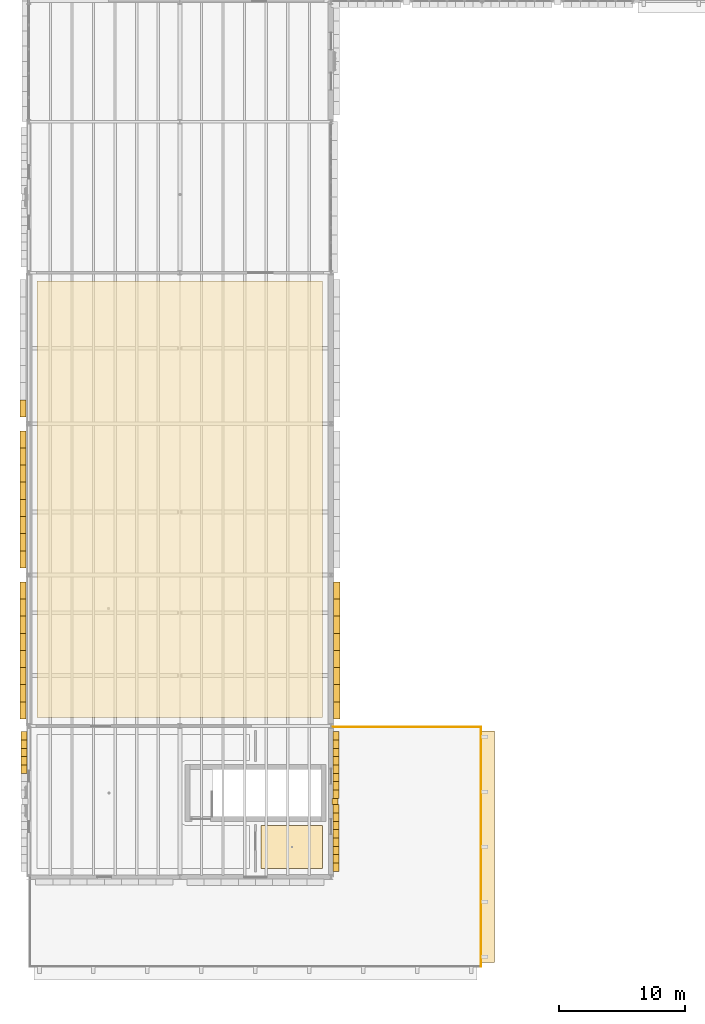
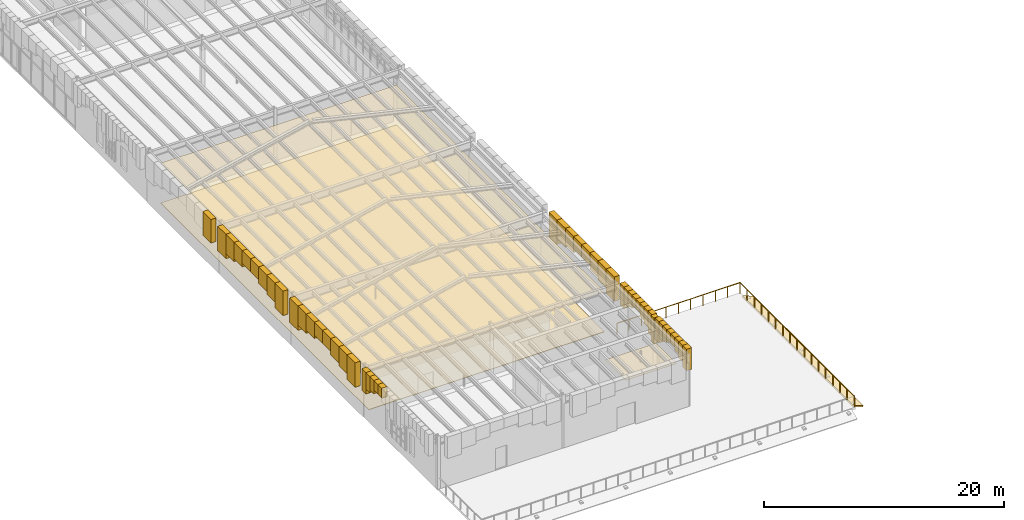
# One storey, part 73 of 100: 51 coverings, 2 railings.
"""IFC4 building model written with IfcOpenShell, lengths in metres."""

from ifc_helpers import new_model, si_unit, direction, frame, origin, origin_2d, place, context, subcontext, project, spatial, polyline, circle, outline, extrude, material, layer, layer_set, type_object, element, save


model = new_model("IFC4")

# Units and contexts
model_context = context("Model", 3, precision=1e-05, world=origin(), true_north=direction((0.0, 1.0)))
body_context = subcontext(model_context, "Body", "Model", "MODEL_VIEW")
ifc_project = project(units=[si_unit("LENGTHUNIT", "METRE"), si_unit("AREAUNIT", "SQUARE_METRE"), si_unit("VOLUMEUNIT", "CUBIC_METRE"), si_unit("PLANEANGLEUNIT", "RADIAN"), si_unit("MASSUNIT", "GRAM", prefix="KILO")], contexts=[model_context])

# Site, building, storey
site_placement = place(None, origin())
site = spatial("IfcSite", under=ifc_project, at=site_placement, CompositionType="ELEMENT")
building_placement = place(site_placement, origin())
building = spatial("IfcBuilding", under=site, at=building_placement, Name="Zlatogorsky Bluff Art Gallery", CompositionType="ELEMENT")
storey_placement = place(building_placement, frame((0.0, 0.0, 5.39990234375)))
storey = spatial("IfcBuildingStorey", under=building, at=storey_placement, Name="L01", CompositionType="ELEMENT", Elevation=5.39990234375)

# Coverings
ifc_material_1 = material(Name="Perforated Gypsum Acoustic Board", Category="gypsum")
ifc_layer_1 = layer(ifc_material_1, 0.0400390625)
ifc_layer_set_1 = layer_set([ifc_layer_1], Name="Acoustic Gallery Ceiling CLG-01")
covering_type_1 = type_object("IfcCoveringType", Name="Acoustic Gallery Ceiling CLG-01", PredefinedType="CEILING", material=ifc_layer_set_1)
covering_1_placement = place(storey_placement, frame((0.0, 0.0, 4.050048828125)))
element("IfcCovering", 1, at=covering_1_placement, inside=storey, type_object=covering_type_1, Name="Sculpture Terrace Gallery acoustic ceiling", PredefinedType="CEILING", context=body_context, shape_type="SweptSolid", body=[
    extrude(outline(polyline([(23.330078125, 15.070068359375), (18.449951171875, 15.070068359375), (18.449951171875, 18.489990234375), (23.330078125, 18.489990234375), (23.330078125, 15.070068359375)])), origin(), (0.0, 0.0, 1.0), 0.0400390625),
])
covering_2_placement = place(storey_placement, frame((0.0, 0.0, 4.050048828125)))
element("IfcCovering", 2, at=covering_2_placement, inside=storey, type_object=covering_type_1, Name="Auditorium Balcony and Projection Suite acoustic ceiling", PredefinedType="CEILING", context=body_context, shape_type="SweptSolid", body=[
    extrude(outline(polyline([(23.330078125, 61.72998046875), (23.330078125, 27.070068359375), (0.669921875, 27.070068359375), (0.669921875, 61.72998046875), (23.330078125, 61.72998046875)])), origin(), (0.0, 0.0, 1.0), 0.0400390625),
])
ifc_material_2 = material(Name="Honed Red Agra-Tone Quartzitic Sandstone", Category="masonry")
ifc_layer_2 = layer(ifc_material_2, 0.1201171875)
ifc_layer_set_2 = layer_set([ifc_layer_2], Name="Carved Sandstone Cladding CLD-02")
covering_type_2 = type_object("IfcCoveringType", Name="Carved Sandstone Cladding CLD-02", PredefinedType="CLADDING", material=ifc_layer_set_2)
covering_3_placement = place(storey_placement, frame((0.0, 0.0, 4.365478515625)))
element("IfcCovering", 3, at=covering_3_placement, inside=storey, type_object=covering_type_2, Name="Pointed Mughal arch voussoir spandrel WARCH-L01-W-00-02-B.4", PredefinedType="CLADDING", context=body_context, shape_type="SweptSolid", body=[
    extrude(outline(polyline([(-0.639892578125, 22.637451171875), (-0.639892578125, 23.300048828125), (-0.14990234375, 23.300048828125), (-0.14990234375, 22.637451171875), (-0.639892578125, 22.637451171875)])), origin(), (0.0, 0.0, 1.0), 0.99462890625),
])
covering_4_placement = place(storey_placement, frame((0.0, 0.0, 4.365478515625)))
element("IfcCovering", 4, at=covering_4_placement, inside=storey, type_object=covering_type_2, Name="Pointed Mughal arch voussoir spandrel WARCH-L01-W-00-02-B.5", PredefinedType="CLADDING", context=body_context, shape_type="SweptSolid", body=[
    extrude(outline(polyline([(-0.639892578125, 23.300048828125), (-0.639892578125, 23.96240234375), (-0.14990234375, 23.96240234375), (-0.14990234375, 23.300048828125), (-0.639892578125, 23.300048828125)])), origin(), (0.0, 0.0, 1.0), 0.99462890625),
])
covering_5_placement = place(storey_placement, frame((0.0, 0.0, 3.996826171875)))
element("IfcCovering", 5, at=covering_5_placement, inside=storey, type_object=covering_type_2, Name="Pointed Mughal arch voussoir spandrel WARCH-L01-W-00-02-B.6", PredefinedType="CLADDING", context=body_context, shape_type="SweptSolid", body=[
    extrude(outline(polyline([(-0.639892578125, 23.96240234375), (-0.639892578125, 24.625), (-0.14990234375, 24.625), (-0.14990234375, 23.96240234375), (-0.639892578125, 23.96240234375)])), origin(), (0.0, 0.0, 1.0), 1.36328125),
])
covering_6_placement = place(storey_placement, frame((0.0, 0.0, 3.703857421875)))
element("IfcCovering", 6, at=covering_6_placement, inside=storey, type_object=covering_type_2, Name="Pointed Mughal arch voussoir spandrel WARCH-L01-W-00-02-B.7", PredefinedType="CLADDING", context=body_context, shape_type="SweptSolid", body=[
    extrude(outline(polyline([(-0.639892578125, 24.625), (-0.639892578125, 25.28759765625), (-0.14990234375, 25.28759765625), (-0.14990234375, 24.625), (-0.639892578125, 24.625)])), origin(), (0.0, 0.0, 1.0), 1.65625),
])
covering_7_placement = place(storey_placement, frame((0.0, 0.0, 3.172607421875)))
element("IfcCovering", 7, at=covering_7_placement, inside=storey, type_object=covering_type_2, Name="Pointed Mughal arch voussoir spandrel WARCH-L01-W-00-02-B.8", PredefinedType="CLADDING", context=body_context, shape_type="SweptSolid", body=[
    extrude(outline(polyline([(-0.639892578125, 25.28759765625), (-0.639892578125, 25.949951171875), (-0.14990234375, 25.949951171875), (-0.14990234375, 25.28759765625), (-0.639892578125, 25.28759765625)])), origin(), (0.0, 0.0, 1.0), 2.1875),
])
covering_8_placement = place(storey_placement, frame((0.0, 0.0, 2.87255859375)))
element("IfcCovering", 8, at=covering_8_placement, inside=storey, type_object=covering_type_2, Name="Pointed Mughal arch voussoir spandrel WARCH-L01-W-00-03-A.1", PredefinedType="CLADDING", context=body_context, shape_type="SweptSolid", body=[
    extrude(outline(polyline([(-0.699951171875, 26.949951171875), (-0.699951171875, 28.3125), (-0.2099609375, 28.3125), (-0.2099609375, 26.949951171875), (-0.699951171875, 26.949951171875)])), origin(), (0.0, 0.0, 1.0), 2.487548828125),
])
covering_9_placement = place(storey_placement, frame((0.0, 0.0, 3.40380859375)))
element("IfcCovering", 9, at=covering_9_placement, inside=storey, type_object=covering_type_2, Name="Pointed Mughal arch voussoir spandrel WARCH-L01-W-00-03-A.2", PredefinedType="CLADDING", context=body_context, shape_type="SweptSolid", body=[
    extrude(outline(polyline([(-0.699951171875, 28.3125), (-0.699951171875, 29.675048828125), (-0.2099609375, 29.675048828125), (-0.2099609375, 28.3125), (-0.699951171875, 28.3125)])), origin(), (0.0, 0.0, 1.0), 1.956298828125),
])
covering_10_placement = place(storey_placement, frame((0.0, 0.0, 3.69677734375)))
element("IfcCovering", 10, at=covering_10_placement, inside=storey, type_object=covering_type_2, Name="Pointed Mughal arch voussoir spandrel WARCH-L01-W-00-03-A.3", PredefinedType="CLADDING", context=body_context, shape_type="SweptSolid", body=[
    extrude(outline(polyline([(-0.699951171875, 29.675048828125), (-0.699951171875, 31.03759765625), (-0.2099609375, 31.03759765625), (-0.2099609375, 29.675048828125), (-0.699951171875, 29.675048828125)])), origin(), (0.0, 0.0, 1.0), 1.663330078125),
])
covering_11_placement = place(storey_placement, frame((0.0, 0.0, 4.0654296875)))
element("IfcCovering", 11, at=covering_11_placement, inside=storey, type_object=covering_type_2, Name="Pointed Mughal arch voussoir spandrel WARCH-L01-W-00-03-A.4", PredefinedType="CLADDING", context=body_context, shape_type="SweptSolid", body=[
    extrude(outline(polyline([(-0.699951171875, 31.03759765625), (-0.699951171875, 32.39990234375), (-0.2099609375, 32.39990234375), (-0.2099609375, 31.03759765625), (-0.699951171875, 31.03759765625)])), origin(), (0.0, 0.0, 1.0), 1.294677734375),
])
covering_12_placement = place(storey_placement, frame((0.0, 0.0, 4.0654296875)))
element("IfcCovering", 12, at=covering_12_placement, inside=storey, type_object=covering_type_2, Name="Pointed Mughal arch voussoir spandrel WARCH-L01-W-00-03-A.5", PredefinedType="CLADDING", context=body_context, shape_type="SweptSolid", body=[
    extrude(outline(polyline([(-0.699951171875, 32.39990234375), (-0.699951171875, 33.762451171875), (-0.2099609375, 33.762451171875), (-0.2099609375, 32.39990234375), (-0.699951171875, 32.39990234375)])), origin(), (0.0, 0.0, 1.0), 1.294677734375),
])
covering_13_placement = place(storey_placement, frame((0.0, 0.0, 3.69677734375)))
element("IfcCovering", 13, at=covering_13_placement, inside=storey, type_object=covering_type_2, Name="Pointed Mughal arch voussoir spandrel WARCH-L01-W-00-03-A.6", PredefinedType="CLADDING", context=body_context, shape_type="SweptSolid", body=[
    extrude(outline(polyline([(-0.699951171875, 33.762451171875), (-0.699951171875, 35.125), (-0.2099609375, 35.125), (-0.2099609375, 33.762451171875), (-0.699951171875, 33.762451171875)])), origin(), (0.0, 0.0, 1.0), 1.663330078125),
])
covering_14_placement = place(storey_placement, frame((0.0, 0.0, 3.40380859375)))
element("IfcCovering", 14, at=covering_14_placement, inside=storey, type_object=covering_type_2, Name="Pointed Mughal arch voussoir spandrel WARCH-L01-W-00-03-A.7", PredefinedType="CLADDING", context=body_context, shape_type="SweptSolid", body=[
    extrude(outline(polyline([(-0.699951171875, 35.125), (-0.699951171875, 36.487548828125), (-0.2099609375, 36.487548828125), (-0.2099609375, 35.125), (-0.699951171875, 35.125)])), origin(), (0.0, 0.0, 1.0), 1.956298828125),
])
covering_15_placement = place(storey_placement, frame((0.0, 0.0, 2.87255859375)))
element("IfcCovering", 15, at=covering_15_placement, inside=storey, type_object=covering_type_2, Name="Pointed Mughal arch voussoir spandrel WARCH-L01-W-00-03-A.8", PredefinedType="CLADDING", context=body_context, shape_type="SweptSolid", body=[
    extrude(outline(polyline([(-0.699951171875, 36.487548828125), (-0.699951171875, 37.85009765625), (-0.2099609375, 37.85009765625), (-0.2099609375, 36.487548828125), (-0.699951171875, 36.487548828125)])), origin(), (0.0, 0.0, 1.0), 2.487548828125),
])
covering_16_placement = place(storey_placement, frame((0.0, 0.0, 2.87255859375)))
element("IfcCovering", 16, at=covering_16_placement, inside=storey, type_object=covering_type_2, Name="Pointed Mughal arch voussoir spandrel WARCH-L01-W-00-04-A.1", PredefinedType="CLADDING", context=body_context, shape_type="SweptSolid", body=[
    extrude(outline(polyline([(-0.699951171875, 38.949951171875), (-0.699951171875, 40.3125), (-0.2099609375, 40.3125), (-0.2099609375, 38.949951171875), (-0.699951171875, 38.949951171875)])), origin(), (0.0, 0.0, 1.0), 2.487548828125),
])
covering_17_placement = place(storey_placement, frame((0.0, 0.0, 3.40380859375)))
element("IfcCovering", 17, at=covering_17_placement, inside=storey, type_object=covering_type_2, Name="Pointed Mughal arch voussoir spandrel WARCH-L01-W-00-04-A.2", PredefinedType="CLADDING", context=body_context, shape_type="SweptSolid", body=[
    extrude(outline(polyline([(-0.699951171875, 40.3125), (-0.699951171875, 41.675048828125), (-0.2099609375, 41.675048828125), (-0.2099609375, 40.3125), (-0.699951171875, 40.3125)])), origin(), (0.0, 0.0, 1.0), 1.956298828125),
])
covering_18_placement = place(storey_placement, frame((0.0, 0.0, 3.69677734375)))
element("IfcCovering", 18, at=covering_18_placement, inside=storey, type_object=covering_type_2, Name="Pointed Mughal arch voussoir spandrel WARCH-L01-W-00-04-A.3", PredefinedType="CLADDING", context=body_context, shape_type="SweptSolid", body=[
    extrude(outline(polyline([(-0.699951171875, 41.675048828125), (-0.699951171875, 43.03759765625), (-0.2099609375, 43.03759765625), (-0.2099609375, 41.675048828125), (-0.699951171875, 41.675048828125)])), origin(), (0.0, 0.0, 1.0), 1.663330078125),
])
covering_19_placement = place(storey_placement, frame((0.0, 0.0, 4.0654296875)))
element("IfcCovering", 19, at=covering_19_placement, inside=storey, type_object=covering_type_2, Name="Pointed Mughal arch voussoir spandrel WARCH-L01-W-00-04-A.4", PredefinedType="CLADDING", context=body_context, shape_type="SweptSolid", body=[
    extrude(outline(polyline([(-0.699951171875, 43.03759765625), (-0.699951171875, 44.39990234375), (-0.2099609375, 44.39990234375), (-0.2099609375, 43.03759765625), (-0.699951171875, 43.03759765625)])), origin(), (0.0, 0.0, 1.0), 1.294677734375),
])
covering_20_placement = place(storey_placement, frame((0.0, 0.0, 4.0654296875)))
element("IfcCovering", 20, at=covering_20_placement, inside=storey, type_object=covering_type_2, Name="Pointed Mughal arch voussoir spandrel WARCH-L01-W-00-04-A.5", PredefinedType="CLADDING", context=body_context, shape_type="SweptSolid", body=[
    extrude(outline(polyline([(-0.699951171875, 44.39990234375), (-0.699951171875, 45.762451171875), (-0.2099609375, 45.762451171875), (-0.2099609375, 44.39990234375), (-0.699951171875, 44.39990234375)])), origin(), (0.0, 0.0, 1.0), 1.294677734375),
])
covering_21_placement = place(storey_placement, frame((0.0, 0.0, 3.69677734375)))
element("IfcCovering", 21, at=covering_21_placement, inside=storey, type_object=covering_type_2, Name="Pointed Mughal arch voussoir spandrel WARCH-L01-W-00-04-A.6", PredefinedType="CLADDING", context=body_context, shape_type="SweptSolid", body=[
    extrude(outline(polyline([(-0.699951171875, 45.762451171875), (-0.699951171875, 47.125), (-0.2099609375, 47.125), (-0.2099609375, 45.762451171875), (-0.699951171875, 45.762451171875)])), origin(), (0.0, 0.0, 1.0), 1.663330078125),
])
covering_22_placement = place(storey_placement, frame((0.0, 0.0, 3.40380859375)))
element("IfcCovering", 22, at=covering_22_placement, inside=storey, type_object=covering_type_2, Name="Pointed Mughal arch voussoir spandrel WARCH-L01-W-00-04-A.7", PredefinedType="CLADDING", context=body_context, shape_type="SweptSolid", body=[
    extrude(outline(polyline([(-0.699951171875, 47.125), (-0.699951171875, 48.487548828125), (-0.2099609375, 48.487548828125), (-0.2099609375, 47.125), (-0.699951171875, 47.125)])), origin(), (0.0, 0.0, 1.0), 1.956298828125),
])
covering_23_placement = place(storey_placement, frame((0.0, 0.0, 2.87255859375)))
element("IfcCovering", 23, at=covering_23_placement, inside=storey, type_object=covering_type_2, Name="Pointed Mughal arch voussoir spandrel WARCH-L01-W-00-04-A.8", PredefinedType="CLADDING", context=body_context, shape_type="SweptSolid", body=[
    extrude(outline(polyline([(-0.699951171875, 48.487548828125), (-0.699951171875, 49.85009765625), (-0.2099609375, 49.85009765625), (-0.2099609375, 48.487548828125), (-0.699951171875, 48.487548828125)])), origin(), (0.0, 0.0, 1.0), 2.487548828125),
])
covering_24_placement = place(storey_placement, frame((0.0, 0.0, 2.972412109375)))
element("IfcCovering", 24, at=covering_24_placement, inside=storey, type_object=covering_type_2, Name="Pointed Mughal arch voussoir spandrel WARCH-L01-W-00-05-A.1", PredefinedType="CLADDING", context=body_context, shape_type="SweptSolid", body=[
    extrude(outline(polyline([(-0.699951171875, 50.949951171875), (-0.699951171875, 52.3125), (-0.2099609375, 52.3125), (-0.2099609375, 50.949951171875), (-0.699951171875, 50.949951171875)])), origin(), (0.0, 0.0, 1.0), 2.3876953125),
])
covering_25_placement = place(storey_placement, frame((0.0, 0.0, 2.72998046875)))
element("IfcCovering", 25, at=covering_25_placement, inside=storey, type_object=covering_type_2, Name="Mughal blind-arch sandstone pilaster L01.E.1.2", PredefinedType="CLADDING", context=body_context, shape_type="SweptSolid", body=[
    extrude(outline(polyline([(24.080078125, 20.159912109375), (24.56005859375, 20.159912109375), (24.56005859375, 20.639892578125), (24.080078125, 20.639892578125), (24.080078125, 20.159912109375)])), origin(), (0.0, 0.0, 1.0), 2.630126953125),
])
covering_26_placement = place(storey_placement, frame((0.0, 0.0, 3.172607421875)))
element("IfcCovering", 26, at=covering_26_placement, inside=storey, type_object=covering_type_2, Name="Pointed Mughal arch voussoir spandrel WARCH-L01-E-01-02-A.1", PredefinedType="CLADDING", context=body_context, shape_type="SweptSolid", body=[
    extrude(outline(polyline([(24.169921875, 14.85009765625), (24.169921875, 15.512451171875), (24.659912109375, 15.512451171875), (24.659912109375, 14.85009765625), (24.169921875, 14.85009765625)])), origin(), (0.0, 0.0, 1.0), 2.1875),
])
covering_27_placement = place(storey_placement, frame((0.0, 0.0, 3.703857421875)))
element("IfcCovering", 27, at=covering_27_placement, inside=storey, type_object=covering_type_2, Name="Pointed Mughal arch voussoir spandrel WARCH-L01-E-01-02-A.2", PredefinedType="CLADDING", context=body_context, shape_type="SweptSolid", body=[
    extrude(outline(polyline([(24.169921875, 15.512451171875), (24.169921875, 16.175048828125), (24.659912109375, 16.175048828125), (24.659912109375, 15.512451171875), (24.169921875, 15.512451171875)])), origin(), (0.0, 0.0, 1.0), 1.65625),
])
covering_28_placement = place(storey_placement, frame((0.0, 0.0, 3.996826171875)))
element("IfcCovering", 28, at=covering_28_placement, inside=storey, type_object=covering_type_2, Name="Pointed Mughal arch voussoir spandrel WARCH-L01-E-01-02-A.3", PredefinedType="CLADDING", context=body_context, shape_type="SweptSolid", body=[
    extrude(outline(polyline([(24.169921875, 16.175048828125), (24.169921875, 16.83740234375), (24.659912109375, 16.83740234375), (24.659912109375, 16.175048828125), (24.169921875, 16.175048828125)])), origin(), (0.0, 0.0, 1.0), 1.36328125),
])
covering_29_placement = place(storey_placement, frame((0.0, 0.0, 4.365478515625)))
element("IfcCovering", 29, at=covering_29_placement, inside=storey, type_object=covering_type_2, Name="Pointed Mughal arch voussoir spandrel WARCH-L01-E-01-02-A.4", PredefinedType="CLADDING", context=body_context, shape_type="SweptSolid", body=[
    extrude(outline(polyline([(24.169921875, 16.83740234375), (24.169921875, 17.5), (24.659912109375, 17.5), (24.659912109375, 16.83740234375), (24.169921875, 16.83740234375)])), origin(), (0.0, 0.0, 1.0), 0.99462890625),
])
covering_30_placement = place(storey_placement, frame((0.0, 0.0, 4.365478515625)))
element("IfcCovering", 30, at=covering_30_placement, inside=storey, type_object=covering_type_2, Name="Pointed Mughal arch voussoir spandrel WARCH-L01-E-01-02-A.5", PredefinedType="CLADDING", context=body_context, shape_type="SweptSolid", body=[
    extrude(outline(polyline([(24.169921875, 17.5), (24.169921875, 18.16259765625), (24.659912109375, 18.16259765625), (24.659912109375, 17.5), (24.169921875, 17.5)])), origin(), (0.0, 0.0, 1.0), 0.99462890625),
])
covering_31_placement = place(storey_placement, frame((0.0, 0.0, 3.996826171875)))
element("IfcCovering", 31, at=covering_31_placement, inside=storey, type_object=covering_type_2, Name="Pointed Mughal arch voussoir spandrel WARCH-L01-E-01-02-A.6", PredefinedType="CLADDING", context=body_context, shape_type="SweptSolid", body=[
    extrude(outline(polyline([(24.169921875, 18.16259765625), (24.169921875, 18.824951171875), (24.659912109375, 18.824951171875), (24.659912109375, 18.16259765625), (24.169921875, 18.16259765625)])), origin(), (0.0, 0.0, 1.0), 1.36328125),
])
covering_32_placement = place(storey_placement, frame((0.0, 0.0, 3.703857421875)))
element("IfcCovering", 32, at=covering_32_placement, inside=storey, type_object=covering_type_2, Name="Pointed Mughal arch voussoir spandrel WARCH-L01-E-01-02-A.7", PredefinedType="CLADDING", context=body_context, shape_type="SweptSolid", body=[
    extrude(outline(polyline([(24.169921875, 18.824951171875), (24.169921875, 19.487548828125), (24.659912109375, 19.487548828125), (24.659912109375, 18.824951171875), (24.169921875, 18.824951171875)])), origin(), (0.0, 0.0, 1.0), 1.65625),
])
covering_33_placement = place(storey_placement, frame((0.0, 0.0, 3.172607421875)))
element("IfcCovering", 33, at=covering_33_placement, inside=storey, type_object=covering_type_2, Name="Pointed Mughal arch voussoir spandrel WARCH-L01-E-01-02-A.8", PredefinedType="CLADDING", context=body_context, shape_type="SweptSolid", body=[
    extrude(outline(polyline([(24.169921875, 19.487548828125), (24.169921875, 20.14990234375), (24.659912109375, 20.14990234375), (24.659912109375, 19.487548828125), (24.169921875, 19.487548828125)])), origin(), (0.0, 0.0, 1.0), 2.1875),
])
covering_34_placement = place(storey_placement, frame((0.0, 0.0, 3.172607421875)))
element("IfcCovering", 34, at=covering_34_placement, inside=storey, type_object=covering_type_2, Name="Pointed Mughal arch voussoir spandrel WARCH-L01-E-01-02-B.1", PredefinedType="CLADDING", context=body_context, shape_type="SweptSolid", body=[
    extrude(outline(polyline([(24.169921875, 20.64990234375), (24.169921875, 21.3125), (24.659912109375, 21.3125), (24.659912109375, 20.64990234375), (24.169921875, 20.64990234375)])), origin(), (0.0, 0.0, 1.0), 2.1875),
])
covering_35_placement = place(storey_placement, frame((0.0, 0.0, 3.703857421875)))
element("IfcCovering", 35, at=covering_35_placement, inside=storey, type_object=covering_type_2, Name="Pointed Mughal arch voussoir spandrel WARCH-L01-E-01-02-B.2", PredefinedType="CLADDING", context=body_context, shape_type="SweptSolid", body=[
    extrude(outline(polyline([(24.169921875, 21.3125), (24.169921875, 21.97509765625), (24.659912109375, 21.97509765625), (24.659912109375, 21.3125), (24.169921875, 21.3125)])), origin(), (0.0, 0.0, 1.0), 1.65625),
])
covering_36_placement = place(storey_placement, frame((0.0, 0.0, 3.996826171875)))
element("IfcCovering", 36, at=covering_36_placement, inside=storey, type_object=covering_type_2, Name="Pointed Mughal arch voussoir spandrel WARCH-L01-E-01-02-B.3", PredefinedType="CLADDING", context=body_context, shape_type="SweptSolid", body=[
    extrude(outline(polyline([(24.169921875, 21.97509765625), (24.169921875, 22.637451171875), (24.659912109375, 22.637451171875), (24.659912109375, 21.97509765625), (24.169921875, 21.97509765625)])), origin(), (0.0, 0.0, 1.0), 1.36328125),
])
covering_37_placement = place(storey_placement, frame((0.0, 0.0, 4.365478515625)))
element("IfcCovering", 37, at=covering_37_placement, inside=storey, type_object=covering_type_2, Name="Pointed Mughal arch voussoir spandrel WARCH-L01-E-01-02-B.4", PredefinedType="CLADDING", context=body_context, shape_type="SweptSolid", body=[
    extrude(outline(polyline([(24.169921875, 22.637451171875), (24.169921875, 23.300048828125), (24.659912109375, 23.300048828125), (24.659912109375, 22.637451171875), (24.169921875, 22.637451171875)])), origin(), (0.0, 0.0, 1.0), 0.99462890625),
])
covering_38_placement = place(storey_placement, frame((0.0, 0.0, 4.365478515625)))
element("IfcCovering", 38, at=covering_38_placement, inside=storey, type_object=covering_type_2, Name="Pointed Mughal arch voussoir spandrel WARCH-L01-E-01-02-B.5", PredefinedType="CLADDING", context=body_context, shape_type="SweptSolid", body=[
    extrude(outline(polyline([(24.169921875, 23.300048828125), (24.169921875, 23.96240234375), (24.659912109375, 23.96240234375), (24.659912109375, 23.300048828125), (24.169921875, 23.300048828125)])), origin(), (0.0, 0.0, 1.0), 0.99462890625),
])
covering_39_placement = place(storey_placement, frame((0.0, 0.0, 3.996826171875)))
element("IfcCovering", 39, at=covering_39_placement, inside=storey, type_object=covering_type_2, Name="Pointed Mughal arch voussoir spandrel WARCH-L01-E-01-02-B.6", PredefinedType="CLADDING", context=body_context, shape_type="SweptSolid", body=[
    extrude(outline(polyline([(24.169921875, 23.96240234375), (24.169921875, 24.625), (24.659912109375, 24.625), (24.659912109375, 23.96240234375), (24.169921875, 23.96240234375)])), origin(), (0.0, 0.0, 1.0), 1.36328125),
])
covering_40_placement = place(storey_placement, frame((0.0, 0.0, 3.703857421875)))
element("IfcCovering", 40, at=covering_40_placement, inside=storey, type_object=covering_type_2, Name="Pointed Mughal arch voussoir spandrel WARCH-L01-E-01-02-B.7", PredefinedType="CLADDING", context=body_context, shape_type="SweptSolid", body=[
    extrude(outline(polyline([(24.169921875, 24.625), (24.169921875, 25.28759765625), (24.659912109375, 25.28759765625), (24.659912109375, 24.625), (24.169921875, 24.625)])), origin(), (0.0, 0.0, 1.0), 1.65625),
])
covering_41_placement = place(storey_placement, frame((0.0, 0.0, 3.172607421875)))
element("IfcCovering", 41, at=covering_41_placement, inside=storey, type_object=covering_type_2, Name="Pointed Mughal arch voussoir spandrel WARCH-L01-E-01-02-B.8", PredefinedType="CLADDING", context=body_context, shape_type="SweptSolid", body=[
    extrude(outline(polyline([(24.169921875, 25.28759765625), (24.169921875, 25.949951171875), (24.659912109375, 25.949951171875), (24.659912109375, 25.28759765625), (24.169921875, 25.28759765625)])), origin(), (0.0, 0.0, 1.0), 2.1875),
])
covering_42_placement = place(storey_placement, frame((0.0, 0.0, 2.87255859375)))
element("IfcCovering", 42, at=covering_42_placement, inside=storey, type_object=covering_type_2, Name="Pointed Mughal arch voussoir spandrel WARCH-L01-E-01-03-A.1", PredefinedType="CLADDING", context=body_context, shape_type="SweptSolid", body=[
    extrude(outline(polyline([(24.2099609375, 26.949951171875), (24.2099609375, 28.3125), (24.699951171875, 28.3125), (24.699951171875, 26.949951171875), (24.2099609375, 26.949951171875)])), origin(), (0.0, 0.0, 1.0), 2.487548828125),
])
covering_43_placement = place(storey_placement, frame((0.0, 0.0, 3.40380859375)))
element("IfcCovering", 43, at=covering_43_placement, inside=storey, type_object=covering_type_2, Name="Pointed Mughal arch voussoir spandrel WARCH-L01-E-01-03-A.2", PredefinedType="CLADDING", context=body_context, shape_type="SweptSolid", body=[
    extrude(outline(polyline([(24.2099609375, 28.3125), (24.2099609375, 29.675048828125), (24.699951171875, 29.675048828125), (24.699951171875, 28.3125), (24.2099609375, 28.3125)])), origin(), (0.0, 0.0, 1.0), 1.956298828125),
])
covering_44_placement = place(storey_placement, frame((0.0, 0.0, 3.69677734375)))
element("IfcCovering", 44, at=covering_44_placement, inside=storey, type_object=covering_type_2, Name="Pointed Mughal arch voussoir spandrel WARCH-L01-E-01-03-A.3", PredefinedType="CLADDING", context=body_context, shape_type="SweptSolid", body=[
    extrude(outline(polyline([(24.2099609375, 29.675048828125), (24.2099609375, 31.03759765625), (24.699951171875, 31.03759765625), (24.699951171875, 29.675048828125), (24.2099609375, 29.675048828125)])), origin(), (0.0, 0.0, 1.0), 1.663330078125),
])
covering_45_placement = place(storey_placement, frame((0.0, 0.0, 4.0654296875)))
element("IfcCovering", 45, at=covering_45_placement, inside=storey, type_object=covering_type_2, Name="Pointed Mughal arch voussoir spandrel WARCH-L01-E-01-03-A.4", PredefinedType="CLADDING", context=body_context, shape_type="SweptSolid", body=[
    extrude(outline(polyline([(24.2099609375, 31.03759765625), (24.2099609375, 32.39990234375), (24.699951171875, 32.39990234375), (24.699951171875, 31.03759765625), (24.2099609375, 31.03759765625)])), origin(), (0.0, 0.0, 1.0), 1.294677734375),
])
covering_46_placement = place(storey_placement, frame((0.0, 0.0, 4.0654296875)))
element("IfcCovering", 46, at=covering_46_placement, inside=storey, type_object=covering_type_2, Name="Pointed Mughal arch voussoir spandrel WARCH-L01-E-01-03-A.5", PredefinedType="CLADDING", context=body_context, shape_type="SweptSolid", body=[
    extrude(outline(polyline([(24.2099609375, 32.39990234375), (24.2099609375, 33.762451171875), (24.699951171875, 33.762451171875), (24.699951171875, 32.39990234375), (24.2099609375, 32.39990234375)])), origin(), (0.0, 0.0, 1.0), 1.294677734375),
])
covering_47_placement = place(storey_placement, frame((0.0, 0.0, 3.69677734375)))
element("IfcCovering", 47, at=covering_47_placement, inside=storey, type_object=covering_type_2, Name="Pointed Mughal arch voussoir spandrel WARCH-L01-E-01-03-A.6", PredefinedType="CLADDING", context=body_context, shape_type="SweptSolid", body=[
    extrude(outline(polyline([(24.2099609375, 33.762451171875), (24.2099609375, 35.125), (24.699951171875, 35.125), (24.699951171875, 33.762451171875), (24.2099609375, 33.762451171875)])), origin(), (0.0, 0.0, 1.0), 1.663330078125),
])
covering_48_placement = place(storey_placement, frame((0.0, 0.0, 3.40380859375)))
element("IfcCovering", 48, at=covering_48_placement, inside=storey, type_object=covering_type_2, Name="Pointed Mughal arch voussoir spandrel WARCH-L01-E-01-03-A.7", PredefinedType="CLADDING", context=body_context, shape_type="SweptSolid", body=[
    extrude(outline(polyline([(24.2099609375, 35.125), (24.2099609375, 36.487548828125), (24.699951171875, 36.487548828125), (24.699951171875, 35.125), (24.2099609375, 35.125)])), origin(), (0.0, 0.0, 1.0), 1.956298828125),
])
covering_49_placement = place(storey_placement, frame((0.0, 0.0, 2.87255859375)))
element("IfcCovering", 49, at=covering_49_placement, inside=storey, type_object=covering_type_2, Name="Pointed Mughal arch voussoir spandrel WARCH-L01-E-01-03-A.8", PredefinedType="CLADDING", context=body_context, shape_type="SweptSolid", body=[
    extrude(outline(polyline([(24.2099609375, 36.487548828125), (24.2099609375, 37.85009765625), (24.699951171875, 37.85009765625), (24.699951171875, 36.487548828125), (24.2099609375, 36.487548828125)])), origin(), (0.0, 0.0, 1.0), 2.487548828125),
])
covering_50_placement = place(storey_placement, frame((35.9599609375, 26.0, -0.039794921875), z_axis=(0.380872241927, 0.0, 0.924627673893), x_axis=(0.0, -1.0, 0.0)))
element("IfcCovering", 50, at=covering_50_placement, inside=storey, type_object=covering_type_2, Name="Projecting sloped Mughal chhajja stone eave CHJ-SW-E-L01", PredefinedType="CLADDING", context=body_context, shape_type="SweptSolid", body=[
    extrude(outline(polyline([(0.0, 0.0), (18.39990234375, 0.0), (18.39990234375, 1.1031678588581422), (0.0, 1.1031678588581422), (0.0, 0.0)])), origin(), (0.0, 0.0, -1.0), 0.139892578125),
])

# Railings
ifc_material_3 = material(Name="Architectural Bronze and Laminated Glass", Category="glass")
railing_type = type_object("IfcRailingType", Name="Gallery Guard Rail 1100mm", PredefinedType="GUARDRAIL", material=ifc_material_3)
railing_1_placement = place(storey_placement, frame((24.080078125, 26.320068359375, 0.0)))
element("IfcRailing", 51, at=railing_1_placement, inside=storey, type_object=railing_type, Name="Sculpture terrace balustrade TERR-L01-01.2", PredefinedType="GUARDRAIL", context=body_context, shape_type="SweptSolid", body=[
    extrude(circle(Radius=0.02392578125, at=origin_2d()), frame((0.0, 0.0, 1.076171875), z_axis=(1.0, 0.0, 0.0), x_axis=(0.0, 1.0, 0.0)), (0.0, 0.0, 1.0), 11.83984375),
    extrude(circle(Radius=0.02099609375, at=origin_2d()), origin(), (0.0, 0.0, 1.0), 1.052001953125),
    extrude(circle(Radius=0.02099609375, at=origin_2d()), frame((1.18408203125, 0.0, 0.0)), (0.0, 0.0, 1.0), 1.052001953125),
    extrude(circle(Radius=0.02099609375, at=origin_2d()), frame((2.367919921875, 0.0, 0.0)), (0.0, 0.0, 1.0), 1.052001953125),
    extrude(circle(Radius=0.02099609375, at=origin_2d()), frame((3.552001953125, 0.0, 0.0)), (0.0, 0.0, 1.0), 1.052001953125),
    extrude(circle(Radius=0.02099609375, at=origin_2d()), frame((4.73583984375, 0.0, 0.0)), (0.0, 0.0, 1.0), 1.052001953125),
    extrude(circle(Radius=0.02099609375, at=origin_2d()), frame((5.919921875, 0.0, 0.0)), (0.0, 0.0, 1.0), 1.052001953125),
    extrude(circle(Radius=0.02099609375, at=origin_2d()), frame((7.10400390625, 0.0, 0.0)), (0.0, 0.0, 1.0), 1.052001953125),
    extrude(circle(Radius=0.02099609375, at=origin_2d()), frame((8.287841796875, 0.0, 0.0)), (0.0, 0.0, 1.0), 1.052001953125),
    extrude(circle(Radius=0.02099609375, at=origin_2d()), frame((9.471923828125, 0.0, 0.0)), (0.0, 0.0, 1.0), 1.052001953125),
    extrude(circle(Radius=0.02099609375, at=origin_2d()), frame((10.65576171875, 0.0, 0.0)), (0.0, 0.0, 1.0), 1.052001953125),
    extrude(circle(Radius=0.02099609375, at=origin_2d()), frame((11.83984375, 0.0, 0.0)), (0.0, 0.0, 1.0), 1.052001953125),
])
railing_2_placement = place(storey_placement, frame((35.919921875, 26.320068359375, 0.0)))
element("IfcRailing", 52, at=railing_2_placement, inside=storey, type_object=railing_type, Name="Sculpture terrace balustrade TERR-L01-01.3", PredefinedType="GUARDRAIL", context=body_context, shape_type="SweptSolid", body=[
    extrude(circle(Radius=0.02392578125, at=origin_2d()), frame((0.0, 0.0, 1.076171875), z_axis=(0.0, -1.0, 0.0), x_axis=(1.0, 0.0, 0.0)), (0.0, 0.0, 1.0), 19.0400390625),
    extrude(circle(Radius=0.02099609375, at=origin_2d()), origin(), (0.0, 0.0, 1.0), 1.052001953125),
    extrude(circle(Radius=0.02099609375, at=origin_2d()), frame((0.0, -1.18994140625, 0.0)), (0.0, 0.0, 1.0), 1.052001953125),
    extrude(circle(Radius=0.02099609375, at=origin_2d()), frame((0.0, -2.3798828125, 0.0)), (0.0, 0.0, 1.0), 1.052001953125),
    extrude(circle(Radius=0.02099609375, at=origin_2d()), frame((0.0, -3.570068359375, 0.0)), (0.0, 0.0, 1.0), 1.052001953125),
    extrude(circle(Radius=0.02099609375, at=origin_2d()), frame((0.0, -4.760009765625, 0.0)), (0.0, 0.0, 1.0), 1.052001953125),
    extrude(circle(Radius=0.02099609375, at=origin_2d()), frame((0.0, -5.949951171875, 0.0)), (0.0, 0.0, 1.0), 1.052001953125),
    extrude(circle(Radius=0.02099609375, at=origin_2d()), frame((0.0, -7.14013671875, 0.0)), (0.0, 0.0, 1.0), 1.052001953125),
    extrude(circle(Radius=0.02099609375, at=origin_2d()), frame((0.0, -8.330078125, 0.0)), (0.0, 0.0, 1.0), 1.052001953125),
    extrude(circle(Radius=0.02099609375, at=origin_2d()), frame((0.0, -9.52001953125, 0.0)), (0.0, 0.0, 1.0), 1.052001953125),
    extrude(circle(Radius=0.02099609375, at=origin_2d()), frame((0.0, -10.7099609375, 0.0)), (0.0, 0.0, 1.0), 1.052001953125),
    extrude(circle(Radius=0.02099609375, at=origin_2d()), frame((0.0, -11.89990234375, 0.0)), (0.0, 0.0, 1.0), 1.052001953125),
    extrude(circle(Radius=0.02099609375, at=origin_2d()), frame((0.0, -13.090087890625, 0.0)), (0.0, 0.0, 1.0), 1.052001953125),
    extrude(circle(Radius=0.02099609375, at=origin_2d()), frame((0.0, -14.280029296875, 0.0)), (0.0, 0.0, 1.0), 1.052001953125),
    extrude(circle(Radius=0.02099609375, at=origin_2d()), frame((0.0, -15.469970703125, 0.0)), (0.0, 0.0, 1.0), 1.052001953125),
    extrude(circle(Radius=0.02099609375, at=origin_2d()), frame((0.0, -16.66015625, 0.0)), (0.0, 0.0, 1.0), 1.052001953125),
    extrude(circle(Radius=0.02099609375, at=origin_2d()), frame((0.0, -17.85009765625, 0.0)), (0.0, 0.0, 1.0), 1.052001953125),
    extrude(circle(Radius=0.02099609375, at=origin_2d()), frame((0.0, -19.0400390625, 0.0)), (0.0, 0.0, 1.0), 1.052001953125),
])

# Covering
ifc_material_4 = material(Name="Polished Ural Marble Terrazzo", Category="masonry")
ifc_layer_3 = layer(ifc_material_4, 0.050048828125)
ifc_layer_set_3 = layer_set([ifc_layer_3], Name="Terrazzo Gallery Flooring FLR-01")
covering_type_3 = type_object("IfcCoveringType", Name="Terrazzo Gallery Flooring FLR-01", PredefinedType="FLOORING", material=ifc_layer_set_3)
covering_51_placement = place(storey_placement, origin())
element("IfcCovering", 53, at=covering_51_placement, inside=storey, type_object=covering_type_3, Name="Auditorium Balcony and Projection Suite terrazzo floor finish", PredefinedType="FLOORING", context=body_context, shape_type="SweptSolid", body=[
    extrude(outline(polyline([(23.330078125, 61.72998046875), (23.330078125, 27.070068359375), (0.669921875, 27.070068359375), (0.669921875, 61.72998046875), (23.330078125, 61.72998046875)])), origin(), (0.0, 0.0, 1.0), 0.050048828125),
])

save(model, "model.ifc")
